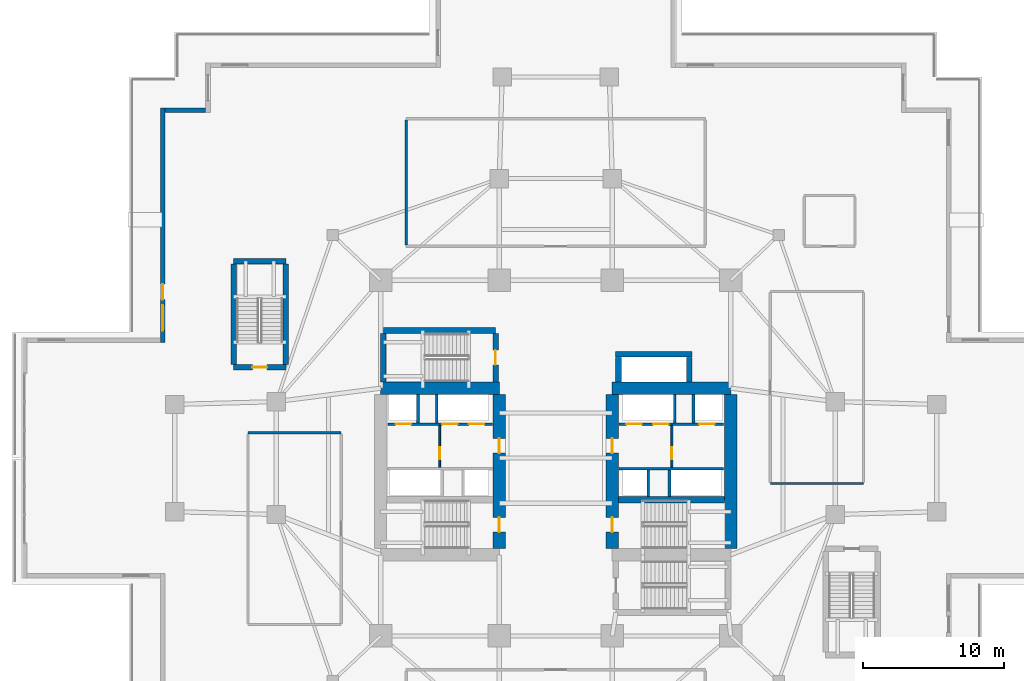
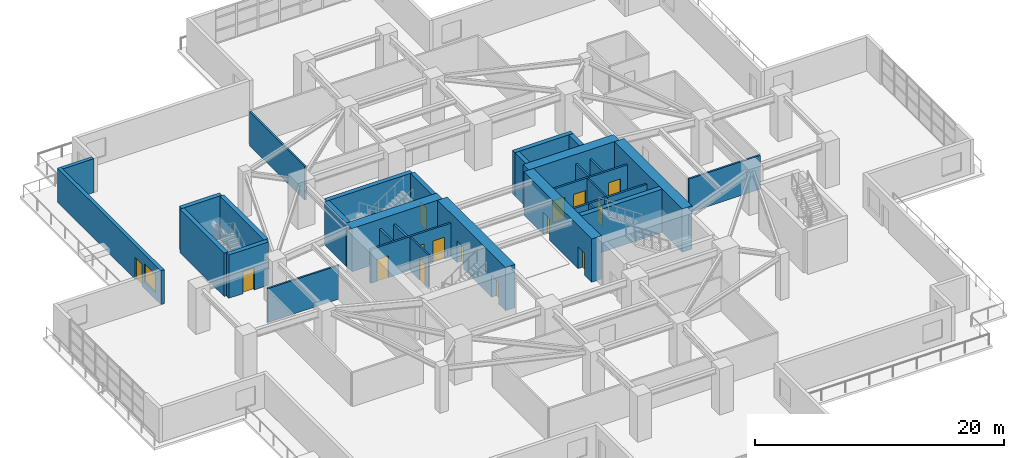
# One storey, part 14 of 23: 32 walls, 15 doors, 1 window, 16 openings.
"""IFC4 building model written with IfcOpenShell, lengths in metres."""

from ifc_helpers import new_model, si_unit, direction, frame, frame_2d, origin, place, context, subcontext, project, spatial, rectangle, extrude, material, layer, layer_set, type_object, element, fill, save


model = new_model("IFC4")

# Units and contexts
model_context = context("Model", 3, precision=1e-05, world=origin(), true_north=direction((0.0, 1.0)))
body_context = subcontext(model_context, "Body", "Model", "MODEL_VIEW")
ifc_project = project(units=[si_unit("LENGTHUNIT", "METRE"), si_unit("AREAUNIT", "SQUARE_METRE"), si_unit("VOLUMEUNIT", "CUBIC_METRE"), si_unit("PLANEANGLEUNIT", "RADIAN"), si_unit("MASSUNIT", "GRAM", prefix="KILO")], contexts=[model_context])

# Site, building, storey
site_placement = place(None, origin())
site = spatial("IfcSite", under=ifc_project, at=site_placement, CompositionType="ELEMENT")
building_placement = place(site_placement, origin())
building = spatial("IfcBuilding", under=site, at=building_placement, Name="Qingluan Cross Belvedere", CompositionType="ELEMENT")
storey_placement = place(building_placement, frame((0.0, 0.0, 10.199951171875)))
storey = spatial("IfcBuildingStorey", under=building, at=storey_placement, Name="L03", CompositionType="ELEMENT", Elevation=10.199951171875)

# Walls
ifc_material_1 = material(Name="Concrete C50", Category="concrete")
ifc_layer_1 = layer(ifc_material_1, 0.449951171875, Name="CoreShearWall_450")
ifc_layer_set_1 = layer_set([ifc_layer_1], Name="Concrete C50")
wall_type_1 = type_object("IfcWallType", Name="CoreShearWall_450", PredefinedType="SHEAR", material=ifc_layer_set_1)
wall_1_placement = place(storey_placement, frame((4.455078125, -2.9599609375, 0.0), z_axis=(0.0, 0.0, 1.0), x_axis=(1.0, 0.0, 0.0)))
element("IfcWall", 1, at=wall_1_placement, inside=storey, type_object=wall_type_1, Name="Split core E shear wall L03-M", PredefinedType="SHEAR", context=body_context, shape_type="SweptSolid", body=[
    extrude(rectangle(XDim=7.489990234375, YDim=0.449951171875, at=frame_2d((3.7451171875, 0.0))), origin(), (0.0, 0.0, 1.0), 4.25),
])
wall_2_placement = place(storey_placement, frame((-12.219970703125, 9.0400390625, 0.0), z_axis=(0.0, 0.0, 1.0), x_axis=(1.0, 0.0, 0.0)))
element("IfcWall", 2, at=wall_2_placement, inside=storey, type_object=wall_type_1, Name="Stair ST3 structural wall N L03", PredefinedType="SHEAR", context=body_context, shape_type="SweptSolid", body=[
    extrude(rectangle(XDim=7.9599609375, YDim=0.39990234375, at=frame_2d((3.97998046875, 0.0))), origin(), (0.0, 0.0, 1.0), 4.25),
])
wall_3_placement = place(storey_placement, frame((-12.219970703125, 5.405029296875, 0.0), z_axis=(0.0, 0.0, 1.0), x_axis=(0.0, 1.0, 0.0)))
element("IfcWall", 3, at=wall_3_placement, inside=storey, type_object=wall_type_1, Name="Stair ST3 structural wall W L03", PredefinedType="SHEAR", context=body_context, shape_type="SweptSolid", body=[
    extrude(rectangle(XDim=3.429931640625, YDim=0.39990234375, at=frame_2d((1.71484375, 0.0))), origin(), (0.0, 0.0, 1.0), 4.25),
])

# Wall, opening, door
wall_4_placement = place(storey_placement, frame((-4.260009765625, 5.405029296875, 0.0), z_axis=(0.0, 0.0, 1.0), x_axis=(0.0, 1.0, 0.0)))
wall_4 = element("IfcWall", 4, at=wall_4_placement, inside=storey, type_object=wall_type_1, Name="Stair ST3 structural wall E L03", PredefinedType="SHEAR", context=body_context, shape_type="SweptSolid", body=[
    extrude(rectangle(XDim=3.429931640625, YDim=0.39990234375, at=frame_2d((1.71484375, 0.0))), origin(), (0.0, 0.0, 1.0), 4.25),
])
opening_1_placement = place(wall_4_placement, frame((1.195068359375, 0.0, 0.0)))
opening_1 = element("IfcOpeningElement", 5, at=opening_1_placement, cuts=wall_4, Name="Opening FD-B11", PredefinedType="OPENING", context=body_context, shape_type="SweptSolid", body=[
    extrude(rectangle(XDim=1.050048828125, YDim=2.14990234375, at=frame_2d((0.52490234375, 1.074951171875))), frame((0.0, 0.2099609375, 0.0), z_axis=(0.0, -1.0, 0.0), x_axis=(1.0, 0.0, 0.0)), (0.0, 0.0, 1.0), 0.419921875),
])
ifc_material_2 = material(Name="Steel Class B smoke-seal fire door", Category="steel")
door_type_1 = type_object("IfcDoorType", Name="StairLobbyFireDoor_FDB", OperationType="NOTDEFINED", PredefinedType="DOOR", material=ifc_material_2)
door_1_placement = place(opening_1_placement, origin())
door_1 = element("IfcDoor", 6, at=door_1_placement, inside=storey, type_object=door_type_1, Name="Smoke-proof stair ST3 fire door L03", OperationType="SINGLE_SWING_RIGHT", OverallHeight=2.14990234375, OverallWidth=1.050048828125, PredefinedType="DOOR", context=body_context, shape_type="SweptSolid", body=[
    extrude(rectangle(XDim=1.050048828125, YDim=2.14990234375, at=frame_2d((0.52490234375, 1.074951171875))), frame((0.0, 0.02490234375, 0.0), z_axis=(0.0, -1.0, 0.0), x_axis=(1.0, 0.0, 0.0)), (0.0, 0.0, 1.0), 0.050048828125),
])
fill(opening_1, door_1)

# Wall
wall_5_placement = place(storey_placement, frame((-22.820068359375, 13.949951171875, 0.0), z_axis=(0.0, 0.0, 1.0), x_axis=(1.0, 0.0, 0.0)))
element("IfcWall", 7, at=wall_5_placement, inside=storey, type_object=wall_type_1, Name="Stair ST5 structural wall N L03", PredefinedType="SHEAR", context=body_context, shape_type="SweptSolid", body=[
    extrude(rectangle(XDim=3.699951171875, YDim=0.39990234375, at=frame_2d((1.85009765625, 0.0))), origin(), (0.0, 0.0, 1.0), 4.25),
])

# Wall, opening, door
wall_6_placement = place(storey_placement, frame((-22.820068359375, 6.429931640625, 0.0), z_axis=(0.0, 0.0, 1.0), x_axis=(1.0, 0.0, 0.0)))
wall_6 = element("IfcWall", 8, at=wall_6_placement, inside=storey, type_object=wall_type_1, Name="Stair ST5 structural wall S L03", PredefinedType="SHEAR", context=body_context, shape_type="SweptSolid", body=[
    extrude(rectangle(XDim=3.699951171875, YDim=0.39990234375, at=frame_2d((1.85009765625, 0.0))), origin(), (0.0, 0.0, 1.0), 4.25),
])
opening_2_placement = place(wall_6_placement, frame((1.320068359375, 0.0, 0.0)))
opening_2 = element("IfcOpeningElement", 9, at=opening_2_placement, cuts=wall_6, Name="Opening FD-B11", PredefinedType="OPENING", context=body_context, shape_type="SweptSolid", body=[
    extrude(rectangle(XDim=1.050048828125, YDim=2.14990234375, at=frame_2d((0.52490234375, 1.074951171875))), frame((0.0, 0.2099609375, 0.0), z_axis=(0.0, -1.0, 0.0), x_axis=(1.0, 0.0, 0.0)), (0.0, 0.0, 1.0), 0.419921875),
])
door_2_placement = place(opening_2_placement, origin())
door_2 = element("IfcDoor", 10, at=door_2_placement, inside=storey, type_object=door_type_1, Name="Podium stair ST5 smoke-proof fire door L03", OperationType="SINGLE_SWING_RIGHT", OverallHeight=2.14990234375, OverallWidth=1.050048828125, PredefinedType="DOOR", context=body_context, shape_type="SweptSolid", body=[
    extrude(rectangle(XDim=1.050048828125, YDim=2.14990234375, at=frame_2d((0.52490234375, 1.074951171875))), frame((0.0, 0.02490234375, 0.0), z_axis=(0.0, -1.0, 0.0), x_axis=(1.0, 0.0, 0.0)), (0.0, 0.0, 1.0), 0.050048828125),
])
fill(opening_2, door_2)

# Walls
for number, where, z_axis, x_axis, name in (
    (11, (-22.820068359375, 6.635009765625, 0.0), (0.0, 0.0, 1.0), (0.0, 1.0, 0.0), "Stair ST5 structural wall W L03"),
    (12, (-19.1201171875, 6.635009765625, 0.0), (0.0, 0.0, 1.0), (0.0, 1.0, 0.0), "Stair ST5 structural wall E L03"),
):
    element("IfcWall", number, at=place(storey_placement, frame(where, z_axis=z_axis, x_axis=x_axis)), inside=storey, type_object=wall_type_1, Name=name, PredefinedType="SHEAR", context=body_context, shape_type="SweptSolid", body=[
        extrude(rectangle(XDim=7.110107421875, YDim=0.39990234375, at=frame_2d((3.55517578125, 0.0))), origin(), (0.0, 0.0, 1.0), 4.25),
    ])
wall_7_placement = place(storey_placement, frame((4.449951171875, 5.405029296875, 0.0), z_axis=(0.0, 0.0, 1.0), x_axis=(0.0, 1.0, 0.0)))
element("IfcWall", 13, at=wall_7_placement, inside=storey, type_object=wall_type_1, Name="Express shuttle core wall L03-W", PredefinedType="SHEAR", context=body_context, shape_type="SweptSolid", body=[
    extrude(rectangle(XDim=1.73486328125, YDim=0.39990234375, at=frame_2d((0.867431640625, 0.0))), origin(), (0.0, 0.0, 1.0), 4.25),
])
wall_8_placement = place(storey_placement, frame((4.25, 7.35009765625, 0.0), z_axis=(0.0, 0.0, 1.0), x_axis=(1.0, 0.0, 0.0)))
element("IfcWall", 14, at=wall_8_placement, inside=storey, type_object=wall_type_1, Name="Express shuttle core wall L03-N", PredefinedType="SHEAR", context=body_context, shape_type="SweptSolid", body=[
    extrude(rectangle(XDim=5.39990234375, YDim=0.39990234375, at=frame_2d((2.699951171875, 0.0))), origin(), (0.0, 0.0, 1.0), 4.25),
])
wall_9_placement = place(storey_placement, frame((9.449951171875, 5.405029296875, 0.0), z_axis=(0.0, 0.0, 1.0), x_axis=(0.0, 1.0, 0.0)))
element("IfcWall", 15, at=wall_9_placement, inside=storey, type_object=wall_type_1, Name="Express shuttle core wall L03-E", PredefinedType="SHEAR", context=body_context, shape_type="SweptSolid", body=[
    extrude(rectangle(XDim=1.73486328125, YDim=0.39990234375, at=frame_2d((0.867431640625, 0.0))), origin(), (0.0, 0.0, 1.0), 4.25),
])
ifc_material_3 = material(Name="Concrete C70", Category="concrete")
ifc_layer_2 = layer(ifc_material_3, 0.89990234375, Name="CoreShearWall_900")
ifc_layer_set_2 = layer_set([ifc_layer_2], Name="Concrete C70")
wall_type_2 = type_object("IfcWallType", Name="CoreShearWall_900", PredefinedType="SHEAR", material=ifc_layer_set_2)
wall_10_placement = place(storey_placement, frame((-12.39990234375, 4.949951171875, 0.0), z_axis=(0.0, 0.0, 1.0), x_axis=(1.0, 0.0, 0.0)))
element("IfcWall", 16, at=wall_10_placement, inside=storey, type_object=wall_type_2, Name="Split core W shear wall L03-N", PredefinedType="SHEAR", context=body_context, shape_type="SweptSolid", body=[
    extrude(rectangle(XDim=8.39990234375, YDim=0.89990234375, at=frame_2d((4.199951171875, 0.0))), origin(), (0.0, 0.0, 1.0), 4.25),
])

# Wall, openings, doors
wall_11_placement = place(storey_placement, frame((-4.0, -6.39501953125, 0.0), z_axis=(0.0, 0.0, 1.0), x_axis=(0.0, 1.0, 0.0)))
wall_11 = element("IfcWall", 17, at=wall_11_placement, inside=storey, type_object=wall_type_2, Name="Split core W shear wall L03-E", PredefinedType="SHEAR", context=body_context, shape_type="SweptSolid", body=[
    extrude(rectangle(XDim=10.89013671875, YDim=0.89990234375, at=frame_2d((5.445068359375, 0.0))), origin(), (0.0, 0.0, 1.0), 4.25),
])
opening_3_placement = place(wall_11_placement, frame((1.14501953125, 0.0, 0.0)))
opening_3 = element("IfcOpeningElement", 18, at=opening_3_placement, cuts=wall_11, Name="Opening FD-B11", PredefinedType="OPENING", context=body_context, shape_type="SweptSolid", body=[
    extrude(rectangle(XDim=1.050048828125, YDim=2.14990234375, at=frame_2d((0.52490234375, 1.074951171875))), frame((0.0, 0.4599609375, 0.0), z_axis=(0.0, -1.0, 0.0), x_axis=(1.0, 0.0, 0.0)), (0.0, 0.0, 1.0), 0.919921875),
])
opening_4_placement = place(wall_11_placement, frame((6.7451171875, 0.0, 0.0)))
opening_4 = element("IfcOpeningElement", 19, at=opening_4_placement, cuts=wall_11, Name="Opening FD-B11", PredefinedType="OPENING", context=body_context, shape_type="SweptSolid", body=[
    extrude(rectangle(XDim=1.050048828125, YDim=2.14990234375, at=frame_2d((0.52490234375, 1.074951171875))), frame((0.0, 0.4599609375, 0.0), z_axis=(0.0, -1.0, 0.0), x_axis=(1.0, 0.0, 0.0)), (0.0, 0.0, 1.0), 0.919921875),
])
door_3_placement = place(opening_3_placement, origin())
door_3 = element("IfcDoor", 20, at=door_3_placement, inside=storey, type_object=door_type_1, Name="Smoke-proof stair ST1 fire door L03", OperationType="SINGLE_SWING_RIGHT", OverallHeight=2.14990234375, OverallWidth=1.050048828125, PredefinedType="DOOR", context=body_context, shape_type="SweptSolid", body=[
    extrude(rectangle(XDim=1.050048828125, YDim=2.14990234375, at=frame_2d((0.52490234375, 1.074951171875))), frame((0.0, 0.02490234375, 0.0), z_axis=(0.0, -1.0, 0.0), x_axis=(1.0, 0.0, 0.0)), (0.0, 0.0, 1.0), 0.050048828125),
])
fill(opening_3, door_3)
door_4_placement = place(opening_4_placement, origin())
door_4 = element("IfcDoor", 21, at=door_4_placement, inside=storey, type_object=door_type_1, Name="Firefighting lobby West fire door L03", OperationType="SINGLE_SWING_RIGHT", OverallHeight=2.14990234375, OverallWidth=1.050048828125, PredefinedType="DOOR", context=body_context, shape_type="SweptSolid", body=[
    extrude(rectangle(XDim=1.050048828125, YDim=2.14990234375, at=frame_2d((0.52490234375, 1.074951171875))), frame((0.0, 0.02490234375, 0.0), z_axis=(0.0, -1.0, 0.0), x_axis=(1.0, 0.0, 0.0)), (0.0, 0.0, 1.0), 0.050048828125),
])
fill(opening_4, door_4)

# Wall
wall_12_placement = place(storey_placement, frame((4.0, 4.949951171875, 0.0), z_axis=(0.0, 0.0, 1.0), x_axis=(1.0, 0.0, 0.0)))
element("IfcWall", 22, at=wall_12_placement, inside=storey, type_object=wall_type_2, Name="Split core E shear wall L03-N", PredefinedType="SHEAR", context=body_context, shape_type="SweptSolid", body=[
    extrude(rectangle(XDim=8.39990234375, YDim=0.89990234375, at=frame_2d((4.199951171875, 0.0))), origin(), (0.0, 0.0, 1.0), 4.25),
])

# Wall, openings, doors
wall_13_placement = place(storey_placement, frame((4.0, -6.39501953125, 0.0), z_axis=(0.0, 0.0, 1.0), x_axis=(0.0, 1.0, 0.0)))
wall_13 = element("IfcWall", 23, at=wall_13_placement, inside=storey, type_object=wall_type_2, Name="Split core E shear wall L03-W", PredefinedType="SHEAR", context=body_context, shape_type="SweptSolid", body=[
    extrude(rectangle(XDim=10.89013671875, YDim=0.89990234375, at=frame_2d((5.445068359375, 0.0))), origin(), (0.0, 0.0, 1.0), 4.25),
])
opening_5_placement = place(wall_13_placement, frame((1.14501953125, 0.0, 0.0)))
opening_5 = element("IfcOpeningElement", 24, at=opening_5_placement, cuts=wall_13, Name="Opening FD-B11", PredefinedType="OPENING", context=body_context, shape_type="SweptSolid", body=[
    extrude(rectangle(XDim=1.050048828125, YDim=2.14990234375, at=frame_2d((0.52490234375, 1.074951171875))), frame((0.0, 0.4599609375, 0.0), z_axis=(0.0, -1.0, 0.0), x_axis=(1.0, 0.0, 0.0)), (0.0, 0.0, 1.0), 0.919921875),
])
opening_6_placement = place(wall_13_placement, frame((6.7451171875, 0.0, 0.0)))
opening_6 = element("IfcOpeningElement", 25, at=opening_6_placement, cuts=wall_13, Name="Opening FD-B11", PredefinedType="OPENING", context=body_context, shape_type="SweptSolid", body=[
    extrude(rectangle(XDim=1.050048828125, YDim=2.14990234375, at=frame_2d((0.52490234375, 1.074951171875))), frame((0.0, 0.4599609375, 0.0), z_axis=(0.0, -1.0, 0.0), x_axis=(1.0, 0.0, 0.0)), (0.0, 0.0, 1.0), 0.919921875),
])
door_5_placement = place(opening_5_placement, origin())
door_5 = element("IfcDoor", 26, at=door_5_placement, inside=storey, type_object=door_type_1, Name="Smoke-proof stair ST2 fire door L03", OperationType="SINGLE_SWING_LEFT", OverallHeight=2.14990234375, OverallWidth=1.050048828125, PredefinedType="DOOR", context=body_context, shape_type="SweptSolid", body=[
    extrude(rectangle(XDim=1.050048828125, YDim=2.14990234375, at=frame_2d((0.52490234375, 1.074951171875))), frame((0.0, 0.02490234375, 0.0), z_axis=(0.0, -1.0, 0.0), x_axis=(1.0, 0.0, 0.0)), (0.0, 0.0, 1.0), 0.050048828125),
])
fill(opening_5, door_5)
door_6_placement = place(opening_6_placement, origin())
door_6 = element("IfcDoor", 27, at=door_6_placement, inside=storey, type_object=door_type_1, Name="Firefighting lobby East fire door L03", OperationType="SINGLE_SWING_LEFT", OverallHeight=2.14990234375, OverallWidth=1.050048828125, PredefinedType="DOOR", context=body_context, shape_type="SweptSolid", body=[
    extrude(rectangle(XDim=1.050048828125, YDim=2.14990234375, at=frame_2d((0.52490234375, 1.074951171875))), frame((0.0, 0.02490234375, 0.0), z_axis=(0.0, -1.0, 0.0), x_axis=(1.0, 0.0, 0.0)), (0.0, 0.0, 1.0), 0.050048828125),
])
fill(opening_6, door_6)

# Walls
wall_14_placement = place(storey_placement, frame((12.39990234375, -6.39501953125, 0.0), z_axis=(0.0, 0.0, 1.0), x_axis=(0.0, 1.0, 0.0)))
element("IfcWall", 28, at=wall_14_placement, inside=storey, type_object=wall_type_2, Name="Split core E shear wall L03-E", PredefinedType="SHEAR", context=body_context, shape_type="SweptSolid", body=[
    extrude(rectangle(XDim=10.89013671875, YDim=0.89990234375, at=frame_2d((5.445068359375, 0.0))), origin(), (0.0, 0.0, 1.0), 4.25),
])
ifc_material_4 = material(Name="Gypsum plasterboard on steel stud acoustic partition", Category="steel")
ifc_layer_3 = layer(ifc_material_4, 0.159912109375, Name="CorridorPartition_160")
ifc_layer_set_3 = layer_set([ifc_layer_3], Name="Gypsum plasterboard on steel stud acoustic partition")
wall_type_3 = type_object("IfcWallType", Name="CorridorPartition_160", PredefinedType="PARTITIONING", material=ifc_layer_set_3)
wall_15_placement = place(storey_placement, frame((-10.60009765625, 15.0849609375, 0.0), z_axis=(0.0, 0.0, 1.0), x_axis=(0.0, 1.0, 0.0)))
element("IfcWall", 29, at=wall_15_placement, inside=storey, type_object=wall_type_3, Name="Partition L03:pod_n:W", PredefinedType="PARTITIONING", context=body_context, shape_type="SweptSolid", body=[
    extrude(rectangle(XDim=8.880126953125, YDim=0.159912109375, at=frame_2d((4.43994140625, 0.0))), origin(), (0.0, 0.0, 1.0), 3.320068359375),
])
for number, where, z_axis, x_axis, name in (
    (30, (15.199951171875, -1.800048828125, 0.0), (0.0, 0.0, 1.0), (1.0, 0.0, 0.0), "Partition L03:pod_e:S"),
    (31, (-21.800048828125, 1.800048828125, 0.0), (0.0, 0.0, 1.0), (1.0, 0.0, 0.0), "Partition L03:pod_w:N"),
):
    element("IfcWall", number, at=place(storey_placement, frame(where, z_axis=z_axis, x_axis=x_axis)), inside=storey, type_object=wall_type_3, Name=name, PredefinedType="PARTITIONING", context=body_context, shape_type="SweptSolid", body=[
        extrude(rectangle(XDim=6.60009765625, YDim=0.159912109375, at=frame_2d((3.300048828125, 0.0))), origin(), (0.0, 0.0, 1.0), 3.320068359375),
    ])

# Wall, openings, window, door
ifc_material_5 = material(Name="Precast concrete C45", Category="concrete")
ifc_layer_4 = layer(ifc_material_5, 0.320068359375, Name="PrecastPodiumWall_320")
ifc_layer_set_4 = layer_set([ifc_layer_4], Name="Precast concrete C45")
wall_type_4 = type_object("IfcWallType", Name="PrecastPodiumWall_320", PredefinedType="STANDARD", material=ifc_layer_set_4)
wall_16_placement = place(storey_placement, frame((-27.840087890625, 8.179931640625, 0.0), z_axis=(0.0, 0.0, 1.0), x_axis=(0.0, 1.0, 0.0)))
wall_16 = element("IfcWall", 32, at=wall_16_placement, inside=storey, type_object=wall_type_4, Name="Podium precast facade wall L03-S14", PredefinedType="STANDARD", context=body_context, shape_type="SweptSolid", body=[
    extrude(rectangle(XDim=16.6201171875, YDim=0.320068359375, at=frame_2d((8.31005859375, 0.0))), origin(), (0.0, 0.0, 1.0), 3.330078125),
])
opening_7_placement = place(wall_16_placement, frame((0.85009765625, 0.0, 0.64990234375)))
opening_7 = element("IfcOpeningElement", 33, at=opening_7_placement, cuts=wall_16, Name="Opening W-06", PredefinedType="OPENING", context=body_context, shape_type="SweptSolid", body=[
    extrude(rectangle(XDim=1.800048828125, YDim=1.800048828125, at=frame_2d((0.89990234375, 0.89990234375))), frame((0.0, 0.169921875, 0.0), z_axis=(0.0, -1.0, 0.0), x_axis=(1.0, 0.0, 0.0)), (0.0, 0.0, 1.0), 0.340087890625),
])
opening_8_placement = place(wall_16_placement, frame((3.050048828125, 0.0, 0.0)))
opening_8 = element("IfcOpeningElement", 34, at=opening_8_placement, cuts=wall_16, Name="Opening TD-11", PredefinedType="OPENING", context=body_context, shape_type="SweptSolid", body=[
    extrude(rectangle(XDim=1.10009765625, YDim=2.14990234375, at=frame_2d((0.550048828125, 1.074951171875))), frame((0.0, 0.169921875, 0.0), z_axis=(0.0, -1.0, 0.0), x_axis=(1.0, 0.0, 0.0)), (0.0, 0.0, 1.0), 0.340087890625),
])
ifc_material_6 = material(Name="Thermally broken triple Low-E glass in aluminium frame", Category="aluminium")
window_type = type_object("IfcWindowType", Name="PodiumGalleryWin_1800x1800", PartitioningType="SINGLE_PANEL", PredefinedType="WINDOW", material=ifc_material_6)
window_placement = place(opening_7_placement, origin())
window = element("IfcWindow", 35, at=window_placement, inside=storey, type_object=window_type, Name="Podium gallery window L03-S14", OverallHeight=1.800048828125, OverallWidth=1.800048828125, PartitioningType="SINGLE_PANEL", PredefinedType="WINDOW", context=body_context, shape_type="SweptSolid", body=[
    extrude(rectangle(XDim=1.800048828125, YDim=1.800048828125, at=frame_2d((0.89990234375, 0.89990234375))), frame((0.0, 0.030029296875, 0.0), z_axis=(0.0, -1.0, 0.0), x_axis=(1.0, 0.0, 0.0)), (0.0, 0.0, 1.0), 0.06005859375),
])
fill(opening_7, window)
ifc_material_7 = material(Name="Thermally broken aluminium and Low-E glass", Category="aluminium")
door_type_2 = type_object("IfcDoorType", Name="TerraceGlazedDoor_1100", OperationType="NOTDEFINED", PredefinedType="DOOR", material=ifc_material_7)
door_7_placement = place(opening_8_placement, origin())
door_7 = element("IfcDoor", 36, at=door_7_placement, inside=storey, type_object=door_type_2, Name="Cascade terrace door L03-2", OperationType="SINGLE_SWING_LEFT", OverallHeight=2.14990234375, OverallWidth=1.10009765625, PredefinedType="DOOR", context=body_context, shape_type="SweptSolid", body=[
    extrude(rectangle(XDim=1.10009765625, YDim=2.14990234375, at=frame_2d((0.550048828125, 1.074951171875))), frame((0.0, 0.02490234375, 0.0), z_axis=(0.0, -1.0, 0.0), x_axis=(1.0, 0.0, 0.0)), (0.0, 0.0, 1.0), 0.050048828125),
])
fill(opening_8, door_7)

# Wall
wall_17_placement = place(storey_placement, frame((-27.679931640625, 24.639892578125, 0.0), z_axis=(0.0, 0.0, 1.0), x_axis=(1.0, 0.0, 0.0)))
element("IfcWall", 37, at=wall_17_placement, inside=storey, type_object=wall_type_4, Name="Podium precast facade wall L03-S15", PredefinedType="STANDARD", context=body_context, shape_type="SweptSolid", body=[
    extrude(rectangle(XDim=2.8798828125, YDim=0.320068359375, at=frame_2d((1.43994140625, 0.0))), origin(), (0.0, 0.0, 1.0), 3.330078125),
])

# Wall, openings, doors
ifc_material_8 = material(Name="Concrete C40", Category="concrete")
ifc_layer_5 = layer(ifc_material_8, 0.219970703125, Name="ShaftEnclosureWall_250")
ifc_layer_set_5 = layer_set([ifc_layer_5], Name="Concrete C40")
wall_type_5 = type_object("IfcWallType", Name="ShaftEnclosureWall_250", PredefinedType="SOLIDWALL", material=ifc_layer_set_5)
wall_18_placement = place(storey_placement, frame((-11.89990234375, 2.409912109375, 0.0), z_axis=(0.0, 0.0, 1.0), x_axis=(1.0, 0.0, 0.0)))
wall_18 = element("IfcWall", 38, at=wall_18_placement, inside=storey, type_object=wall_type_5, Name="Core-W north hoistway wall L03", PredefinedType="SOLIDWALL", context=body_context, shape_type="SweptSolid", body=[
    extrude(rectangle(XDim=7.419921875, YDim=0.179931640625, at=frame_2d((3.7099609375, 0.0))), origin(), (0.0, 0.0, 1.0), 3.320068359375),
])
opening_9_placement = place(wall_18_placement, frame((0.550048828125, 0.0, 0.0)))
opening_9 = element("IfcOpeningElement", 39, at=opening_9_placement, cuts=wall_18, Name="Opening LD-11", PredefinedType="OPENING", context=body_context, shape_type="SweptSolid", body=[
    extrude(rectangle(XDim=1.10009765625, YDim=2.14990234375, at=frame_2d((0.550048828125, 1.074951171875))), frame((0.0, 0.099853515625, 0.0), z_axis=(0.0, -1.0, 0.0), x_axis=(1.0, 0.0, 0.0)), (0.0, 0.0, 1.0), 0.199951171875),
])
opening_10_placement = place(wall_18_placement, frame((3.85009765625, 0.0, 0.0)))
opening_10 = element("IfcOpeningElement", 40, at=opening_10_placement, cuts=wall_18, Name="Opening LD-11", PredefinedType="OPENING", context=body_context, shape_type="SweptSolid", body=[
    extrude(rectangle(XDim=1.10009765625, YDim=2.14990234375, at=frame_2d((0.550048828125, 1.074951171875))), frame((0.0, 0.099853515625, 0.0), z_axis=(0.0, -1.0, 0.0), x_axis=(1.0, 0.0, 0.0)), (0.0, 0.0, 1.0), 0.199951171875),
])
opening_11_placement = place(wall_18_placement, frame((5.75, 0.0, 0.0)))
opening_11 = element("IfcOpeningElement", 41, at=opening_11_placement, cuts=wall_18, Name="Opening LD-11", PredefinedType="OPENING", context=body_context, shape_type="SweptSolid", body=[
    extrude(rectangle(XDim=1.10009765625, YDim=2.14990234375, at=frame_2d((0.550048828125, 1.074951171875))), frame((0.0, 0.099853515625, 0.0), z_axis=(0.0, -1.0, 0.0), x_axis=(1.0, 0.0, 0.0)), (0.0, 0.0, 1.0), 0.199951171875),
])
ifc_material_9 = material(Name="Brushed stainless steel centre-opening lift landing door", Category="steel")
door_type_3 = type_object("IfcDoorType", Name="LiftLandingSlidingDoor_1100", OperationType="DOUBLE_DOOR_SLIDING", PredefinedType="DOOR", material=ifc_material_9)
door_8_placement = place(opening_9_placement, origin())
door_8 = element("IfcDoor", 42, at=door_8_placement, inside=storey, type_object=door_type_3, Name="Lift landing sliding door FL1 L03", OperationType="DOUBLE_DOOR_SLIDING", OverallHeight=2.14990234375, OverallWidth=1.10009765625, PredefinedType="DOOR", context=body_context, shape_type="SweptSolid", body=[
    extrude(rectangle(XDim=1.10009765625, YDim=2.14990234375, at=frame_2d((0.550048828125, 1.074951171875))), frame((0.0, 0.02490234375, 0.0), z_axis=(0.0, -1.0, 0.0), x_axis=(1.0, 0.0, 0.0)), (0.0, 0.0, 1.0), 0.050048828125),
])
fill(opening_9, door_8)
door_9_placement = place(opening_10_placement, origin())
door_9 = element("IfcDoor", 43, at=door_9_placement, inside=storey, type_object=door_type_3, Name="Lift landing sliding door LP1 L03", OperationType="DOUBLE_DOOR_SLIDING", OverallHeight=2.14990234375, OverallWidth=1.10009765625, PredefinedType="DOOR", context=body_context, shape_type="SweptSolid", body=[
    extrude(rectangle(XDim=1.10009765625, YDim=2.14990234375, at=frame_2d((0.550048828125, 1.074951171875))), frame((0.0, 0.02490234375, 0.0), z_axis=(0.0, -1.0, 0.0), x_axis=(1.0, 0.0, 0.0)), (0.0, 0.0, 1.0), 0.050048828125),
])
fill(opening_10, door_9)
door_10_placement = place(opening_11_placement, origin())
door_10 = element("IfcDoor", 44, at=door_10_placement, inside=storey, type_object=door_type_3, Name="Lift landing sliding door LP2 L03", OperationType="DOUBLE_DOOR_SLIDING", OverallHeight=2.14990234375, OverallWidth=1.10009765625, PredefinedType="DOOR", context=body_context, shape_type="SweptSolid", body=[
    extrude(rectangle(XDim=1.10009765625, YDim=2.14990234375, at=frame_2d((0.550048828125, 1.074951171875))), frame((0.0, 0.02490234375, 0.0), z_axis=(0.0, -1.0, 0.0), x_axis=(1.0, 0.0, 0.0)), (0.0, 0.0, 1.0), 0.050048828125),
])
fill(opening_11, door_10)

wall_19_placement = place(storey_placement, frame((4.47998046875, 2.409912109375, 0.0), z_axis=(0.0, 0.0, 1.0), x_axis=(1.0, 0.0, 0.0)))
wall_19 = element("IfcWall", 45, at=wall_19_placement, inside=storey, type_object=wall_type_5, Name="Core-E north hoistway wall L03", PredefinedType="SOLIDWALL", context=body_context, shape_type="SweptSolid", body=[
    extrude(rectangle(XDim=7.419921875, YDim=0.179931640625, at=frame_2d((3.7099609375, 0.0))), origin(), (0.0, 0.0, 1.0), 3.320068359375),
])
opening_12_placement = place(wall_19_placement, frame((5.669921875, 0.0, 0.0)))
opening_12 = element("IfcOpeningElement", 46, at=opening_12_placement, cuts=wall_19, Name="Opening LD-11", PredefinedType="OPENING", context=body_context, shape_type="SweptSolid", body=[
    extrude(rectangle(XDim=1.10009765625, YDim=2.14990234375, at=frame_2d((0.550048828125, 1.074951171875))), frame((0.0, 0.099853515625, 0.0), z_axis=(0.0, -1.0, 0.0), x_axis=(1.0, 0.0, 0.0)), (0.0, 0.0, 1.0), 0.199951171875),
])
opening_13_placement = place(wall_19_placement, frame((0.52001953125, 0.0, 0.0)))
opening_13 = element("IfcOpeningElement", 47, at=opening_13_placement, cuts=wall_19, Name="Opening LD-11", PredefinedType="OPENING", context=body_context, shape_type="SweptSolid", body=[
    extrude(rectangle(XDim=1.10009765625, YDim=2.14990234375, at=frame_2d((0.550048828125, 1.074951171875))), frame((0.0, 0.099853515625, 0.0), z_axis=(0.0, -1.0, 0.0), x_axis=(1.0, 0.0, 0.0)), (0.0, 0.0, 1.0), 0.199951171875),
])
opening_14_placement = place(wall_19_placement, frame((2.419921875, 0.0, 0.0)))
opening_14 = element("IfcOpeningElement", 48, at=opening_14_placement, cuts=wall_19, Name="Opening LD-11", PredefinedType="OPENING", context=body_context, shape_type="SweptSolid", body=[
    extrude(rectangle(XDim=1.10009765625, YDim=2.14990234375, at=frame_2d((0.550048828125, 1.074951171875))), frame((0.0, 0.099853515625, 0.0), z_axis=(0.0, -1.0, 0.0), x_axis=(1.0, 0.0, 0.0)), (0.0, 0.0, 1.0), 0.199951171875),
])
door_11_placement = place(opening_12_placement, origin())
door_11 = element("IfcDoor", 49, at=door_11_placement, inside=storey, type_object=door_type_3, Name="Lift landing sliding door FL2 L03", OperationType="DOUBLE_DOOR_SLIDING", OverallHeight=2.14990234375, OverallWidth=1.10009765625, PredefinedType="DOOR", context=body_context, shape_type="SweptSolid", body=[
    extrude(rectangle(XDim=1.10009765625, YDim=2.14990234375, at=frame_2d((0.550048828125, 1.074951171875))), frame((0.0, 0.02490234375, 0.0), z_axis=(0.0, -1.0, 0.0), x_axis=(1.0, 0.0, 0.0)), (0.0, 0.0, 1.0), 0.050048828125),
])
fill(opening_12, door_11)
door_12_placement = place(opening_13_placement, origin())
door_12 = element("IfcDoor", 50, at=door_12_placement, inside=storey, type_object=door_type_3, Name="Lift landing sliding door LP3 L03", OperationType="DOUBLE_DOOR_SLIDING", OverallHeight=2.14990234375, OverallWidth=1.10009765625, PredefinedType="DOOR", context=body_context, shape_type="SweptSolid", body=[
    extrude(rectangle(XDim=1.10009765625, YDim=2.14990234375, at=frame_2d((0.550048828125, 1.074951171875))), frame((0.0, 0.02490234375, 0.0), z_axis=(0.0, -1.0, 0.0), x_axis=(1.0, 0.0, 0.0)), (0.0, 0.0, 1.0), 0.050048828125),
])
fill(opening_13, door_12)
door_13_placement = place(opening_14_placement, origin())
door_13 = element("IfcDoor", 51, at=door_13_placement, inside=storey, type_object=door_type_3, Name="Lift landing sliding door LP4 L03", OperationType="DOUBLE_DOOR_SLIDING", OverallHeight=2.14990234375, OverallWidth=1.10009765625, PredefinedType="DOOR", context=body_context, shape_type="SweptSolid", body=[
    extrude(rectangle(XDim=1.10009765625, YDim=2.14990234375, at=frame_2d((0.550048828125, 1.074951171875))), frame((0.0, 0.02490234375, 0.0), z_axis=(0.0, -1.0, 0.0), x_axis=(1.0, 0.0, 0.0)), (0.0, 0.0, 1.0), 0.050048828125),
])
fill(opening_14, door_13)

# Walls
wall_20_placement = place(storey_placement, frame((4.47998046875, -0.75, 0.0), z_axis=(0.0, 0.0, 1.0), x_axis=(1.0, 0.0, 0.0)))
element("IfcWall", 52, at=wall_20_placement, inside=storey, type_object=wall_type_5, Name="Core-E mid hoistway wall L03", PredefinedType="SOLIDWALL", context=body_context, shape_type="SweptSolid", body=[
    extrude(rectangle(XDim=7.419921875, YDim=0.179931640625, at=frame_2d((3.7099609375, 0.0))), origin(), (0.0, 0.0, 1.0), 3.320068359375),
])
for number, where, z_axis, x_axis, name in (
    (53, (-9.760009765625, 2.5, 0.0), (0.0, 0.0, 1.0), (0.0, 1.0, 0.0), "Hoistway enclosure divider FL1E L03"),
    (54, (-8.43994140625, 2.5, 0.0), (0.0, 0.0, 1.0), (0.0, 1.0, 0.0), "Hoistway enclosure divider LP1W L03"),
    (55, (8.43994140625, 2.5, 0.0), (0.0, 0.0, 1.0), (0.0, 1.0, 0.0), "Hoistway enclosure divider LP4E L03"),
    (56, (9.760009765625, 2.5, 0.0), (0.0, 0.0, 1.0), (0.0, 1.0, 0.0), "Hoistway enclosure divider FL2W L03"),
):
    element("IfcWall", number, at=place(storey_placement, frame(where, z_axis=z_axis, x_axis=x_axis)), inside=storey, type_object=wall_type_5, Name=name, PredefinedType="SOLIDWALL", context=body_context, shape_type="SweptSolid", body=[
        extrude(rectangle(XDim=1.989990234375, YDim=0.179931640625, at=frame_2d((0.9951171875, 0.0))), origin(), (0.0, 0.0, 1.0), 3.320068359375),
    ])
for number, where, z_axis, x_axis, name in (
    (57, (6.5400390625, -2.72998046875, 0.0), (0.0, 0.0, 1.0), (0.0, 1.0, 0.0), "Hoistway enclosure divider LP7E L03"),
    (58, (8.06005859375, -2.72998046875, 0.0), (0.0, 0.0, 1.0), (0.0, 1.0, 0.0), "Hoistway enclosure divider LP9W L03"),
):
    element("IfcWall", number, at=place(storey_placement, frame(where, z_axis=z_axis, x_axis=x_axis)), inside=storey, type_object=wall_type_5, Name=name, PredefinedType="SOLIDWALL", context=body_context, shape_type="SweptSolid", body=[
        extrude(rectangle(XDim=1.889892578125, YDim=0.179931640625, at=frame_2d((0.94482421875, 0.0))), origin(), (0.0, 0.0, 1.0), 3.320068359375),
    ])

# Wall, opening, door
wall_21_placement = place(storey_placement, frame((-8.219970703125, -0.64990234375, 0.0), z_axis=(0.0, 0.0, 1.0), x_axis=(0.0, 1.0, 0.0)))
wall_21 = element("IfcWall", 59, at=wall_21_placement, inside=storey, type_object=wall_type_5, Name="Core-W service corridor wall L03", PredefinedType="SOLIDWALL", context=body_context, shape_type="SweptSolid", body=[
    extrude(rectangle(XDim=2.9599609375, YDim=0.139892578125, at=frame_2d((1.47998046875, 0.0))), origin(), (0.0, 0.0, 1.0), 3.320068359375),
])
opening_15_placement = place(wall_21_placement, frame((0.550048828125, 0.0, 0.0)))
opening_15 = element("IfcOpeningElement", 60, at=opening_15_placement, cuts=wall_21, Name="Opening FD-B10", PredefinedType="OPENING", context=body_context, shape_type="SweptSolid", body=[
    extrude(rectangle(XDim=0.8798828125, YDim=2.10009765625, at=frame_2d((0.43994140625, 1.050048828125))), frame((0.0, 0.079833984375, 0.0), z_axis=(0.0, -1.0, 0.0), x_axis=(1.0, 0.0, 0.0)), (0.0, 0.0, 1.0), 0.159912109375),
])
ifc_material_10 = material(Name="Steel Class B service fire door", Category="steel")
door_type_4 = type_object("IfcDoorType", Name="RiserServiceFireDoor_FDB", OperationType="NOTDEFINED", PredefinedType="DOOR", material=ifc_material_10)
door_14_placement = place(opening_15_placement, origin())
door_14 = element("IfcDoor", 61, at=door_14_placement, inside=storey, type_object=door_type_4, Name="Core-W service room door L03", OperationType="SINGLE_SWING_RIGHT", OverallHeight=2.10009765625, OverallWidth=0.8798828125, PredefinedType="DOOR", context=body_context, shape_type="SweptSolid", body=[
    extrude(rectangle(XDim=0.8798828125, YDim=2.10009765625, at=frame_2d((0.43994140625, 1.050048828125))), frame((0.0, 0.02490234375, 0.0), z_axis=(0.0, -1.0, 0.0), x_axis=(1.0, 0.0, 0.0)), (0.0, 0.0, 1.0), 0.050048828125),
])
fill(opening_15, door_14)

wall_22_placement = place(storey_placement, frame((8.219970703125, -0.64990234375, 0.0), z_axis=(0.0, 0.0, 1.0), x_axis=(0.0, 1.0, 0.0)))
wall_22 = element("IfcWall", 62, at=wall_22_placement, inside=storey, type_object=wall_type_5, Name="Core-E service corridor wall L03", PredefinedType="SOLIDWALL", context=body_context, shape_type="SweptSolid", body=[
    extrude(rectangle(XDim=2.9599609375, YDim=0.139892578125, at=frame_2d((1.47998046875, 0.0))), origin(), (0.0, 0.0, 1.0), 3.320068359375),
])
opening_16_placement = place(wall_22_placement, frame((0.550048828125, 0.0, 0.0)))
opening_16 = element("IfcOpeningElement", 63, at=opening_16_placement, cuts=wall_22, Name="Opening FD-B10", PredefinedType="OPENING", context=body_context, shape_type="SweptSolid", body=[
    extrude(rectangle(XDim=0.8798828125, YDim=2.10009765625, at=frame_2d((0.43994140625, 1.050048828125))), frame((0.0, 0.079833984375, 0.0), z_axis=(0.0, -1.0, 0.0), x_axis=(1.0, 0.0, 0.0)), (0.0, 0.0, 1.0), 0.159912109375),
])
door_15_placement = place(opening_16_placement, origin())
door_15 = element("IfcDoor", 64, at=door_15_placement, inside=storey, type_object=door_type_4, Name="Core-E service room door L03", OperationType="SINGLE_SWING_LEFT", OverallHeight=2.10009765625, OverallWidth=0.8798828125, PredefinedType="DOOR", context=body_context, shape_type="SweptSolid", body=[
    extrude(rectangle(XDim=0.8798828125, YDim=2.10009765625, at=frame_2d((0.43994140625, 1.050048828125))), frame((0.0, 0.02490234375, 0.0), z_axis=(0.0, -1.0, 0.0), x_axis=(1.0, 0.0, 0.0)), (0.0, 0.0, 1.0), 0.050048828125),
])
fill(opening_16, door_15)

save(model, "model.ifc")
